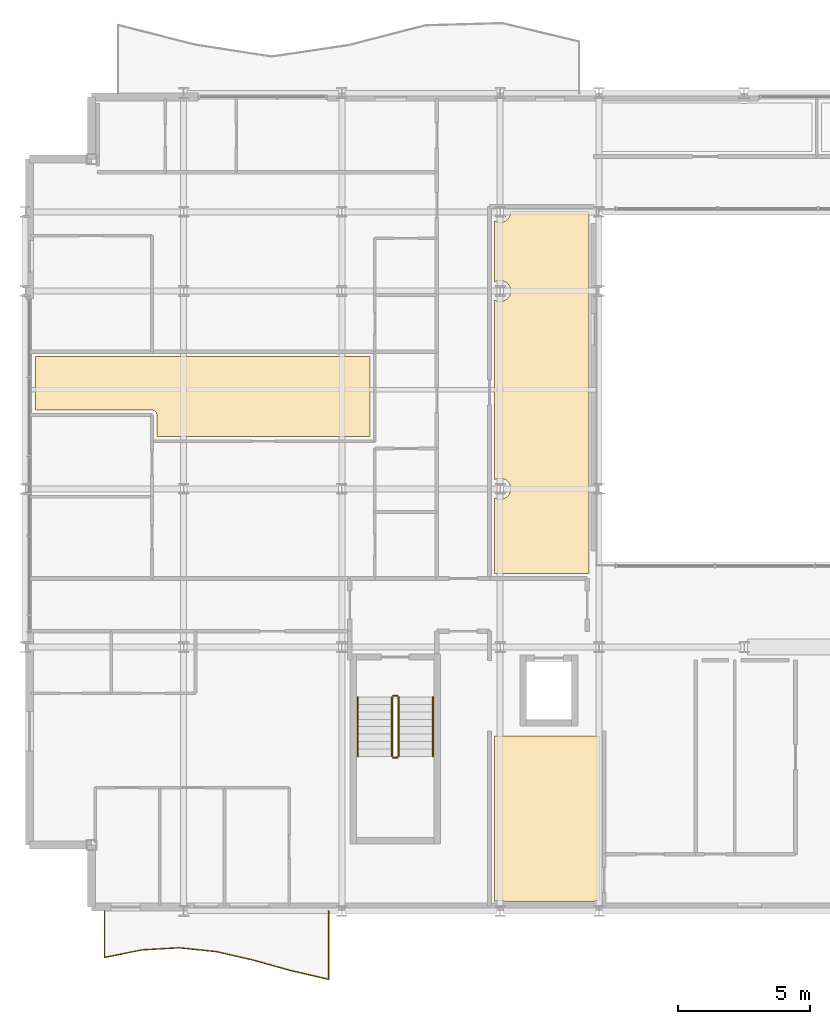
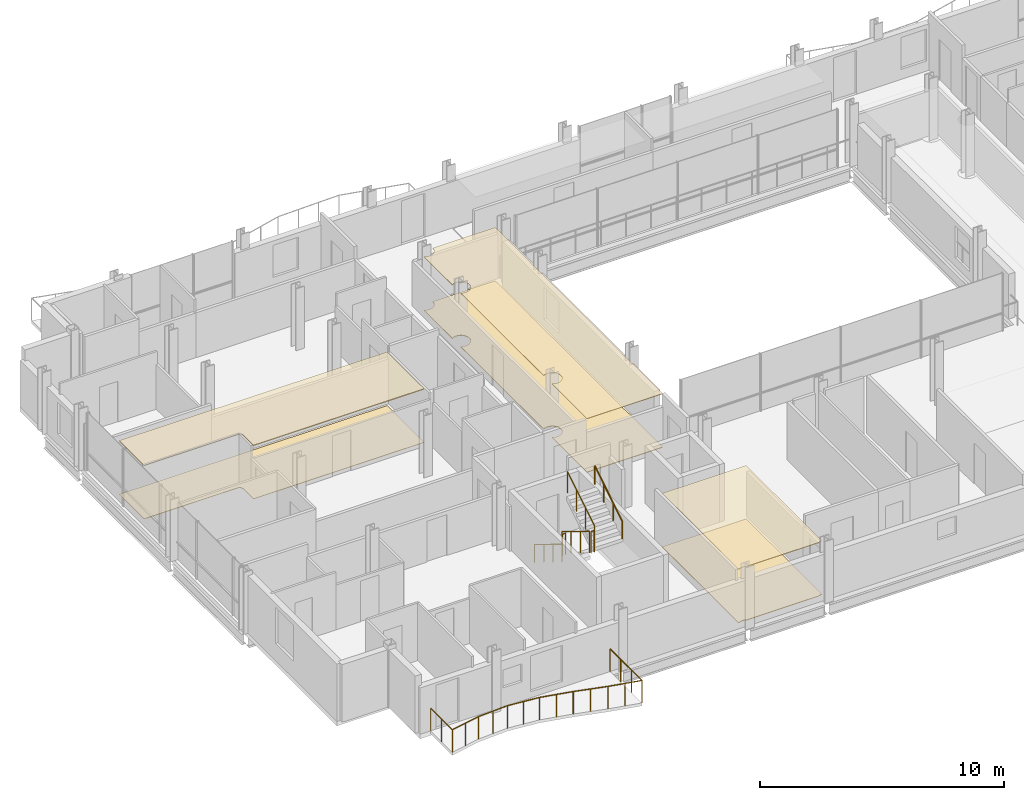
# One storey, part 39 of 41: 7 railings, 6 coverings.
"""IFC4 building model written with IfcOpenShell, lengths in metres."""

from ifc_helpers import new_model, si_unit, direction, frame, origin, origin_2d, place, context, subcontext, project, spatial, polyline, circle, outline, extrude, material, layer, layer_set, type_object, element, save


model = new_model("IFC4")

# Units and contexts
model_context = context("Model", 3, precision=1e-05, world=origin(), true_north=direction((0.0, 1.0)))
body_context = subcontext(model_context, "Body", "Model", "MODEL_VIEW")
ifc_project = project(units=[si_unit("LENGTHUNIT", "METRE"), si_unit("AREAUNIT", "SQUARE_METRE"), si_unit("VOLUMEUNIT", "CUBIC_METRE"), si_unit("PLANEANGLEUNIT", "RADIAN"), si_unit("MASSUNIT", "GRAM", prefix="KILO")], contexts=[model_context])

# Site, building, storey
site_placement = place(None, origin())
site = spatial("IfcSite", under=ifc_project, at=site_placement, CompositionType="ELEMENT")
building_placement = place(site_placement, origin())
building = spatial("IfcBuilding", under=site, at=building_placement, Name="Brevholm Reach", CompositionType="ELEMENT")
storey_placement = place(building_placement, frame((0.0, 0.0, 157.300048828125)))
storey = spatial("IfcBuildingStorey", under=building, at=storey_placement, Name="L47", CompositionType="ELEMENT", Elevation=157.300048828125)

# Coverings
ifc_material_1 = material(Name="Perforated Mineral-Fibre Class-A Acoustic Suspended Ceiling", Category="gypsum")
ifc_layer_1 = layer(ifc_material_1, 0.044921875)
ifc_layer_set_1 = layer_set([ifc_layer_1], Name="Perforated Mineral-Fibre Class-A Acoustic Suspended Ceiling")
covering_type_1 = type_object("IfcCoveringType", Name="COV-CLG-AC", PredefinedType="CEILING", material=ifc_layer_set_1)
covering_1_placement = place(storey_placement, frame((0.0, 0.0, 2.6650390625)))
element("IfcCovering", 1, at=covering_1_placement, inside=storey, type_object=covering_type_1, Name="L47 Suspended Ceiling L47-45", PredefinedType="CEILING", context=body_context, shape_type="SweptSolid", body=[
    extrude(outline(polyline([(0.3798828125, 21.02001953125), (13.070068359375, 21.02001953125), (13.070068359375, 17.97998046875), (4.98388671875, 17.97998046875), (4.98388671875, 18.800048828125), (4.983154296875, 18.817626953125), (4.98046875, 18.835205078125), (4.976318359375, 18.852294921875), (4.97021484375, 18.868896484375), (4.962890625, 18.884765625), (4.95361328125, 18.89990234375), (4.943115234375, 18.914306640625), (4.93994140625, 18.918212890625), (4.927978515625, 18.93115234375), (4.9150390625, 18.943115234375), (4.90087890625, 18.95361328125), (4.8857421875, 18.962646484375), (4.86962890625, 18.97021484375), (4.85302734375, 18.97607421875), (4.8359375, 18.98046875), (4.818359375, 18.98291015625), (4.80078125, 18.98388671875), (0.3798828125, 18.98388671875), (0.3798828125, 21.02001953125)])), origin(), (0.0, 0.0, 1.0), 0.044921875),
])
ifc_material_2 = material(Name="Moisture-Resistant Skimmed Gypsum Plasterboard Ceiling", Category="gypsum")
ifc_layer_2 = layer(ifc_material_2, 0.030029296875)
ifc_layer_set_2 = layer_set([ifc_layer_2], Name="Moisture-Resistant Skimmed Gypsum Plasterboard Ceiling")
covering_type_2 = type_object("IfcCoveringType", Name="COV-CLG-GYP", PredefinedType="CEILING", material=ifc_layer_set_2)
covering_2_placement = place(storey_placement, frame((0.0, 0.0, 2.679931640625)))
element("IfcCovering", 2, at=covering_2_placement, inside=storey, type_object=covering_type_2, Name="L47 Suspended Ceiling L47-24", PredefinedType="CEILING", context=body_context, shape_type="SweptSolid", body=[
    extrude(outline(polyline([(21.76611328125, 6.6201171875), (21.76611328125, 0.399169921875), (21.75, 0.39990234375), (21.710693359375, 0.398193359375), (21.672119140625, 0.392333984375), (21.6337890625, 0.3828125), (21.596923828125, 0.36962890625), (21.57666015625, 0.360107421875), (18.17333984375, 0.360107421875), (18.153076171875, 0.36962890625), (18.1162109375, 0.3828125), (18.077880859375, 0.392333984375), (18.039306640625, 0.398193359375), (18.0, 0.39990234375), (17.960693359375, 0.398193359375), (17.922119140625, 0.392333984375), (17.8837890625, 0.3828125), (17.846923828125, 0.36962890625), (17.82666015625, 0.360107421875), (17.783935546875, 0.360107421875), (17.783935546875, 6.6201171875), (21.76611328125, 6.6201171875)])), origin(), (0.0, 0.0, 1.0), 0.030029296875),
])
covering_3_placement = place(storey_placement, frame((0.0, 0.0, 2.679931640625)))
element("IfcCovering", 3, at=covering_3_placement, inside=storey, type_object=covering_type_2, Name="L47 Suspended Ceiling L47-61", PredefinedType="CEILING", context=body_context, shape_type="SweptSolid", body=[
    extrude(outline(polyline([(21.3701171875, 23.623779296875), (21.3671875, 23.6162109375), (21.357666015625, 23.577880859375), (21.351806640625, 23.539306640625), (21.35009765625, 23.5), (21.351806640625, 23.460693359375), (21.357666015625, 23.422119140625), (21.3671875, 23.3837890625), (21.3701171875, 23.376220703125), (21.3701171875, 16.123779296875), (21.3671875, 16.1162109375), (21.357666015625, 16.077880859375), (21.351806640625, 16.039306640625), (21.35009765625, 16.0), (21.351806640625, 15.960693359375), (21.357666015625, 15.922119140625), (21.3671875, 15.8837890625), (21.3701171875, 15.876220703125), (21.3701171875, 12.783935546875), (17.783935546875, 12.783935546875), (17.783935546875, 15.663818359375), (17.811279296875, 15.647216796875), (17.846923828125, 15.63037109375), (17.8837890625, 15.6171875), (17.922119140625, 15.607666015625), (17.960693359375, 15.601806640625), (18.0, 15.60009765625), (18.039306640625, 15.601806640625), (18.077880859375, 15.607666015625), (18.1162109375, 15.6171875), (18.153076171875, 15.63037109375), (18.188720703125, 15.647216796875), (18.22216796875, 15.66748046875), (18.25390625, 15.69091796875), (18.28271484375, 15.71728515625), (18.30908203125, 15.74609375), (18.33251953125, 15.77783203125), (18.352783203125, 15.811279296875), (18.36962890625, 15.846923828125), (18.3828125, 15.8837890625), (18.392333984375, 15.922119140625), (18.398193359375, 15.960693359375), (18.39990234375, 16.0), (18.398193359375, 16.039306640625), (18.392333984375, 16.077880859375), (18.3828125, 16.1162109375), (18.36962890625, 16.153076171875), (18.352783203125, 16.188720703125), (18.33251953125, 16.22216796875), (18.30908203125, 16.25390625), (18.28271484375, 16.28271484375), (18.25390625, 16.30908203125), (18.22216796875, 16.33251953125), (18.188720703125, 16.352783203125), (18.153076171875, 16.36962890625), (18.1162109375, 16.3828125), (18.077880859375, 16.392333984375), (18.039306640625, 16.398193359375), (18.0, 16.39990234375), (17.960693359375, 16.398193359375), (17.922119140625, 16.392333984375), (17.8837890625, 16.3828125), (17.846923828125, 16.36962890625), (17.811279296875, 16.352783203125), (17.783935546875, 16.336181640625), (17.783935546875, 23.163818359375), (17.811279296875, 23.147216796875), (17.846923828125, 23.13037109375), (17.8837890625, 23.1171875), (17.922119140625, 23.107666015625), (17.960693359375, 23.101806640625), (18.0, 23.10009765625), (18.039306640625, 23.101806640625), (18.077880859375, 23.107666015625), (18.1162109375, 23.1171875), (18.153076171875, 23.13037109375), (18.188720703125, 23.147216796875), (18.22216796875, 23.16748046875), (18.25390625, 23.19091796875), (18.28271484375, 23.21728515625), (18.30908203125, 23.24609375), (18.33251953125, 23.27783203125), (18.352783203125, 23.311279296875), (18.36962890625, 23.346923828125), (18.3828125, 23.3837890625), (18.392333984375, 23.422119140625), (18.398193359375, 23.460693359375), (18.39990234375, 23.5), (18.398193359375, 23.539306640625), (18.392333984375, 23.577880859375), (18.3828125, 23.6162109375), (18.36962890625, 23.653076171875), (18.352783203125, 23.688720703125), (18.33251953125, 23.72216796875), (18.30908203125, 23.75390625), (18.28271484375, 23.78271484375), (18.25390625, 23.80908203125), (18.22216796875, 23.83251953125), (18.188720703125, 23.852783203125), (18.153076171875, 23.86962890625), (18.1162109375, 23.8828125), (18.077880859375, 23.892333984375), (18.039306640625, 23.898193359375), (18.0, 23.89990234375), (17.960693359375, 23.898193359375), (17.922119140625, 23.892333984375), (17.8837890625, 23.8828125), (17.846923828125, 23.86962890625), (17.811279296875, 23.852783203125), (17.783935546875, 23.836181640625), (17.783935546875, 26.163818359375), (17.811279296875, 26.147216796875), (17.846923828125, 26.13037109375), (17.8837890625, 26.1171875), (17.922119140625, 26.107666015625), (17.960693359375, 26.101806640625), (18.0, 26.10009765625), (18.039306640625, 26.101806640625), (18.077880859375, 26.107666015625), (18.1162109375, 26.1171875), (18.153076171875, 26.13037109375), (18.188720703125, 26.147216796875), (18.22216796875, 26.16748046875), (18.25390625, 26.19091796875), (18.28271484375, 26.21728515625), (18.30908203125, 26.24609375), (18.33251953125, 26.27783203125), (18.352783203125, 26.311279296875), (18.36962890625, 26.346923828125), (18.3828125, 26.3837890625), (18.392333984375, 26.422119140625), (18.398193359375, 26.460693359375), (18.39990234375, 26.5), (18.399169921875, 26.51611328125), (21.350830078125, 26.51611328125), (21.35009765625, 26.5), (21.351806640625, 26.460693359375), (21.357666015625, 26.422119140625), (21.3671875, 26.3837890625), (21.3701171875, 26.376220703125), (21.3701171875, 23.623779296875)])), origin(), (0.0, 0.0, 1.0), 0.030029296875),
])
ifc_material_3 = material(Name="Engineered European Oak Acoustic Plank Flooring", Category="timber")
ifc_layer_3 = layer(ifc_material_3, 0.02197265625)
ifc_layer_set_3 = layer_set([ifc_layer_3], Name="Engineered European Oak Acoustic Plank Flooring")
covering_type_3 = type_object("IfcCoveringType", Name="COV-FLR-OAK", PredefinedType="FLOORING", material=ifc_layer_set_3)
covering_4_placement = place(storey_placement, origin())
element("IfcCovering", 4, at=covering_4_placement, inside=storey, type_object=covering_type_3, Name="L47 Floor Finish L47-45", PredefinedType="FLOORING", context=body_context, shape_type="SweptSolid", body=[
    extrude(outline(polyline([(0.3798828125, 21.02001953125), (13.070068359375, 21.02001953125), (13.070068359375, 17.97998046875), (4.98388671875, 17.97998046875), (4.98388671875, 18.800048828125), (4.983154296875, 18.817626953125), (4.98046875, 18.835205078125), (4.976318359375, 18.852294921875), (4.97021484375, 18.868896484375), (4.962890625, 18.884765625), (4.95361328125, 18.89990234375), (4.943115234375, 18.914306640625), (4.93994140625, 18.918212890625), (4.927978515625, 18.93115234375), (4.9150390625, 18.943115234375), (4.90087890625, 18.95361328125), (4.8857421875, 18.962646484375), (4.86962890625, 18.97021484375), (4.85302734375, 18.97607421875), (4.8359375, 18.98046875), (4.818359375, 18.98291015625), (4.80078125, 18.98388671875), (0.3798828125, 18.98388671875), (0.3798828125, 21.02001953125)])), origin(), (0.0, 0.0, 1.0), 0.02197265625),
])
ifc_material_4 = material(Name="Honed Portland-Aggregate Resin Terrazzo Flooring", Category="concrete")
ifc_layer_4 = layer(ifc_material_4, 0.031982421875)
ifc_layer_set_4 = layer_set([ifc_layer_4], Name="Honed Portland-Aggregate Resin Terrazzo Flooring")
covering_type_4 = type_object("IfcCoveringType", Name="COV-FLR-TRZ", PredefinedType="FLOORING", material=ifc_layer_set_4)
covering_5_placement = place(storey_placement, origin())
element("IfcCovering", 5, at=covering_5_placement, inside=storey, type_object=covering_type_4, Name="L47 Floor Finish L47-24", PredefinedType="FLOORING", context=body_context, shape_type="SweptSolid", body=[
    extrude(outline(polyline([(21.76611328125, 6.6201171875), (21.76611328125, 0.399169921875), (21.75, 0.39990234375), (21.710693359375, 0.398193359375), (21.672119140625, 0.392333984375), (21.6337890625, 0.3828125), (21.596923828125, 0.36962890625), (21.57666015625, 0.360107421875), (18.17333984375, 0.360107421875), (18.153076171875, 0.36962890625), (18.1162109375, 0.3828125), (18.077880859375, 0.392333984375), (18.039306640625, 0.398193359375), (18.0, 0.39990234375), (17.960693359375, 0.398193359375), (17.922119140625, 0.392333984375), (17.8837890625, 0.3828125), (17.846923828125, 0.36962890625), (17.82666015625, 0.360107421875), (17.783935546875, 0.360107421875), (17.783935546875, 6.6201171875), (21.76611328125, 6.6201171875)])), origin(), (0.0, 0.0, 1.0), 0.031982421875),
])
covering_6_placement = place(storey_placement, origin())
element("IfcCovering", 6, at=covering_6_placement, inside=storey, type_object=covering_type_4, Name="L47 Floor Finish L47-61", PredefinedType="FLOORING", context=body_context, shape_type="SweptSolid", body=[
    extrude(outline(polyline([(21.3701171875, 23.623779296875), (21.3671875, 23.6162109375), (21.357666015625, 23.577880859375), (21.351806640625, 23.539306640625), (21.35009765625, 23.5), (21.351806640625, 23.460693359375), (21.357666015625, 23.422119140625), (21.3671875, 23.3837890625), (21.3701171875, 23.376220703125), (21.3701171875, 16.123779296875), (21.3671875, 16.1162109375), (21.357666015625, 16.077880859375), (21.351806640625, 16.039306640625), (21.35009765625, 16.0), (21.351806640625, 15.960693359375), (21.357666015625, 15.922119140625), (21.3671875, 15.8837890625), (21.3701171875, 15.876220703125), (21.3701171875, 12.783935546875), (17.783935546875, 12.783935546875), (17.783935546875, 15.663818359375), (17.811279296875, 15.647216796875), (17.846923828125, 15.63037109375), (17.8837890625, 15.6171875), (17.922119140625, 15.607666015625), (17.960693359375, 15.601806640625), (18.0, 15.60009765625), (18.039306640625, 15.601806640625), (18.077880859375, 15.607666015625), (18.1162109375, 15.6171875), (18.153076171875, 15.63037109375), (18.188720703125, 15.647216796875), (18.22216796875, 15.66748046875), (18.25390625, 15.69091796875), (18.28271484375, 15.71728515625), (18.30908203125, 15.74609375), (18.33251953125, 15.77783203125), (18.352783203125, 15.811279296875), (18.36962890625, 15.846923828125), (18.3828125, 15.8837890625), (18.392333984375, 15.922119140625), (18.398193359375, 15.960693359375), (18.39990234375, 16.0), (18.398193359375, 16.039306640625), (18.392333984375, 16.077880859375), (18.3828125, 16.1162109375), (18.36962890625, 16.153076171875), (18.352783203125, 16.188720703125), (18.33251953125, 16.22216796875), (18.30908203125, 16.25390625), (18.28271484375, 16.28271484375), (18.25390625, 16.30908203125), (18.22216796875, 16.33251953125), (18.188720703125, 16.352783203125), (18.153076171875, 16.36962890625), (18.1162109375, 16.3828125), (18.077880859375, 16.392333984375), (18.039306640625, 16.398193359375), (18.0, 16.39990234375), (17.960693359375, 16.398193359375), (17.922119140625, 16.392333984375), (17.8837890625, 16.3828125), (17.846923828125, 16.36962890625), (17.811279296875, 16.352783203125), (17.783935546875, 16.336181640625), (17.783935546875, 23.163818359375), (17.811279296875, 23.147216796875), (17.846923828125, 23.13037109375), (17.8837890625, 23.1171875), (17.922119140625, 23.107666015625), (17.960693359375, 23.101806640625), (18.0, 23.10009765625), (18.039306640625, 23.101806640625), (18.077880859375, 23.107666015625), (18.1162109375, 23.1171875), (18.153076171875, 23.13037109375), (18.188720703125, 23.147216796875), (18.22216796875, 23.16748046875), (18.25390625, 23.19091796875), (18.28271484375, 23.21728515625), (18.30908203125, 23.24609375), (18.33251953125, 23.27783203125), (18.352783203125, 23.311279296875), (18.36962890625, 23.346923828125), (18.3828125, 23.3837890625), (18.392333984375, 23.422119140625), (18.398193359375, 23.460693359375), (18.39990234375, 23.5), (18.398193359375, 23.539306640625), (18.392333984375, 23.577880859375), (18.3828125, 23.6162109375), (18.36962890625, 23.653076171875), (18.352783203125, 23.688720703125), (18.33251953125, 23.72216796875), (18.30908203125, 23.75390625), (18.28271484375, 23.78271484375), (18.25390625, 23.80908203125), (18.22216796875, 23.83251953125), (18.188720703125, 23.852783203125), (18.153076171875, 23.86962890625), (18.1162109375, 23.8828125), (18.077880859375, 23.892333984375), (18.039306640625, 23.898193359375), (18.0, 23.89990234375), (17.960693359375, 23.898193359375), (17.922119140625, 23.892333984375), (17.8837890625, 23.8828125), (17.846923828125, 23.86962890625), (17.811279296875, 23.852783203125), (17.783935546875, 23.836181640625), (17.783935546875, 26.163818359375), (17.811279296875, 26.147216796875), (17.846923828125, 26.13037109375), (17.8837890625, 26.1171875), (17.922119140625, 26.107666015625), (17.960693359375, 26.101806640625), (18.0, 26.10009765625), (18.039306640625, 26.101806640625), (18.077880859375, 26.107666015625), (18.1162109375, 26.1171875), (18.153076171875, 26.13037109375), (18.188720703125, 26.147216796875), (18.22216796875, 26.16748046875), (18.25390625, 26.19091796875), (18.28271484375, 26.21728515625), (18.30908203125, 26.24609375), (18.33251953125, 26.27783203125), (18.352783203125, 26.311279296875), (18.36962890625, 26.346923828125), (18.3828125, 26.3837890625), (18.392333984375, 26.422119140625), (18.398193359375, 26.460693359375), (18.39990234375, 26.5), (18.399169921875, 26.51611328125), (21.350830078125, 26.51611328125), (21.35009765625, 26.5), (21.351806640625, 26.460693359375), (21.357666015625, 26.422119140625), (21.3671875, 26.3837890625), (21.3701171875, 26.376220703125), (21.3701171875, 23.623779296875)])), origin(), (0.0, 0.0, 1.0), 0.031982421875),
])

# Railings
ifc_material_5 = material(Name="Brushed Stainless Steel EN 1.4401 and Laminated Glass", Category="steel")
railing_type_1 = type_object("IfcRailingType", Name="RAL-BALC-1150", PredefinedType="BALUSTRADE", material=ifc_material_5)
railing_1_placement = place(storey_placement, frame((3.0, 0.0, 0.0)))
element("IfcRailing", 7, at=railing_1_placement, inside=storey, type_object=railing_type_1, Name="L47 Guard Balustrade RAL-L47-BAL-SW", PredefinedType="BALUSTRADE", context=body_context, shape_type="SweptSolid", body=[
    extrude(circle(Radius=0.02392578125, at=origin_2d()), frame((0.0, 0.0, 1.1259765625), z_axis=(0.0, -1.0, 0.0), x_axis=(1.0, 0.0, 0.0)), (0.0, 0.0, 1.0), 1.7685546875),
    extrude(circle(Radius=0.02392578125, at=origin_2d()), frame((0.0, -1.7685546875, 1.1259765625), z_axis=(0.980502614423, 0.196506038355, 0.0), x_axis=(-0.196506038355, 0.980502614423, 0.0)), (0.0, 0.0, 1.0), 1.44482421875),
    extrude(circle(Radius=0.02392578125, at=origin_2d()), frame((1.416748046875, -1.484619140625, 1.1259765625), z_axis=(0.998327360231, 0.057814200799, 0.0), x_axis=(-0.057814200799, 0.998327360231, 0.0)), (0.0, 0.0, 1.0), 1.4189453125),
    extrude(circle(Radius=0.02392578125, at=origin_2d()), frame((2.833251953125, -1.402587890625, 1.1259765625), z_axis=(0.994609205974, -0.103694394212, 0.0), x_axis=(0.103694394212, 0.994609205974, 0.0)), (0.0, 0.0, 1.0), 1.42431640625),
    extrude(circle(Radius=0.02392578125, at=origin_2d()), frame((4.25, -1.55029296875, 1.1259765625), z_axis=(0.974323236677, -0.225153792932, 0.0), x_axis=(0.225153792932, 0.974323236677, 0.0)), (0.0, 0.0, 1.0), 1.4541015625),
    extrude(circle(Radius=0.02392578125, at=origin_2d()), frame((5.666748046875, -1.877685546875, 1.1259765625), z_axis=(0.963289212232, -0.268465814578, 0.0), x_axis=(0.268465814578, 0.963289212232, 0.0)), (0.0, 0.0, 1.0), 1.470458984375),
    extrude(circle(Radius=0.02392578125, at=origin_2d()), frame((7.083251953125, -2.2724609375, 1.1259765625), z_axis=(0.974360057668, -0.224994395533, 0.0), x_axis=(0.224994395533, 0.974360057668, 0.0)), (0.0, 0.0, 1.0), 1.4541015625),
    extrude(circle(Radius=0.02392578125, at=origin_2d()), frame((8.5, -2.599609375, 1.1259765625), z_axis=(0.0, 1.0, 0.0), x_axis=(-1.0, 0.0, 0.0)), (0.0, 0.0, 1.0), 2.599609375),
    extrude(circle(Radius=0.02099609375, at=origin_2d()), origin(), (0.0, 0.0, 1.0), 1.101806640625),
    extrude(circle(Radius=0.02099609375, at=origin_2d()), frame((0.0, -0.88427734375, 0.0)), (0.0, 0.0, 1.0), 1.101806640625),
    extrude(circle(Radius=0.02099609375, at=origin_2d()), frame((0.0, -1.7685546875, 0.0)), (0.0, 0.0, 1.0), 1.101806640625),
    extrude(circle(Radius=0.02099609375, at=origin_2d()), frame((0.70849609375, -1.62646484375, 0.0)), (0.0, 0.0, 1.0), 1.101806640625),
    extrude(circle(Radius=0.02099609375, at=origin_2d()), frame((1.416748046875, -1.484619140625, 0.0)), (0.0, 0.0, 1.0), 1.101806640625),
    extrude(circle(Radius=0.02099609375, at=origin_2d()), frame((2.125, -1.443603515625, 0.0)), (0.0, 0.0, 1.0), 1.101806640625),
    extrude(circle(Radius=0.02099609375, at=origin_2d()), frame((2.833251953125, -1.402587890625, 0.0)), (0.0, 0.0, 1.0), 1.101806640625),
    extrude(circle(Radius=0.02099609375, at=origin_2d()), frame((3.54150390625, -1.4765625, 0.0)), (0.0, 0.0, 1.0), 1.101806640625),
    extrude(circle(Radius=0.02099609375, at=origin_2d()), frame((4.25, -1.55029296875, 0.0)), (0.0, 0.0, 1.0), 1.101806640625),
    extrude(circle(Radius=0.02099609375, at=origin_2d()), frame((4.95849609375, -1.7138671875, 0.0)), (0.0, 0.0, 1.0), 1.101806640625),
    extrude(circle(Radius=0.02099609375, at=origin_2d()), frame((5.666748046875, -1.877685546875, 0.0)), (0.0, 0.0, 1.0), 1.101806640625),
    extrude(circle(Radius=0.02099609375, at=origin_2d()), frame((6.375, -2.0751953125, 0.0)), (0.0, 0.0, 1.0), 1.101806640625),
    extrude(circle(Radius=0.02099609375, at=origin_2d()), frame((7.083251953125, -2.2724609375, 0.0)), (0.0, 0.0, 1.0), 1.101806640625),
    extrude(circle(Radius=0.02099609375, at=origin_2d()), frame((7.79150390625, -2.43603515625, 0.0)), (0.0, 0.0, 1.0), 1.101806640625),
    extrude(circle(Radius=0.02099609375, at=origin_2d()), frame((8.5, -2.599609375, 0.0)), (0.0, 0.0, 1.0), 1.101806640625),
    extrude(circle(Radius=0.02099609375, at=origin_2d()), frame((8.5, -1.733154296875, 0.0)), (0.0, 0.0, 1.0), 1.101806640625),
    extrude(circle(Radius=0.02099609375, at=origin_2d()), frame((8.5, -0.866455078125, 0.0)), (0.0, 0.0, 1.0), 1.101806640625),
    extrude(circle(Radius=0.02099609375, at=origin_2d()), frame((8.5, 0.0, 0.0)), (0.0, 0.0, 1.0), 1.101806640625),
])
ifc_material_6 = material(Name="Brushed Stainless Steel EN 1.4401 Continuous Handrail", Category="steel")
railing_type_2 = type_object("IfcRailingType", Name="RAL-HND-950", PredefinedType="HANDRAIL", material=ifc_material_6)
railing_2_placement = place(storey_placement, frame((12.60009765625, 8.10009765625, 0.172119140625)))
element("IfcRailing", 8, at=railing_2_placement, inside=storey, type_object=railing_type_2, Name="L47 ST-1 stair handrail 1", PredefinedType="HANDRAIL", context=body_context, shape_type="SweptSolid", body=[
    extrude(circle(Radius=0.02392578125, at=origin_2d()), frame((0.0, 0.0, 0.8857421875), z_axis=(0.0, -0.851747552033, 0.523952390591), x_axis=(1.0, 0.0, 0.0)), (0.0, 0.0, 1.0), 2.6298828125),
    extrude(circle(Radius=0.02099609375, at=origin_2d()), origin(), (0.0, 0.0, 1.0), 0.86181640625),
    extrude(circle(Radius=0.02099609375, at=origin_2d()), frame((0.0, -0.74658203125, 0.459228515625)), (0.0, 0.0, 1.0), 0.86181640625),
    extrude(circle(Radius=0.02099609375, at=origin_2d()), frame((0.0, -1.493408203125, 0.918701171875)), (0.0, 0.0, 1.0), 0.86181640625),
    extrude(circle(Radius=0.02099609375, at=origin_2d()), frame((0.0, -2.239990234375, 1.3779296875)), (0.0, 0.0, 1.0), 0.86181640625),
])
railing_3_placement = place(storey_placement, frame((15.449951171875, 5.860107421875, 1.72216796875)))
element("IfcRailing", 9, at=railing_3_placement, inside=storey, type_object=railing_type_2, Name="L47 ST-1 stair handrail 2", PredefinedType="HANDRAIL", context=body_context, shape_type="SweptSolid", body=[
    extrude(circle(Radius=0.02392578125, at=origin_2d()), frame((0.0, 0.0, 0.8857421875), z_axis=(0.0, 0.85178898068, 0.523885037382), x_axis=(-1.0, 0.0, 0.0)), (0.0, 0.0, 1.0), 2.629638671875),
    extrude(circle(Radius=0.02099609375, at=origin_2d()), origin(), (0.0, 0.0, 1.0), 0.86181640625),
    extrude(circle(Radius=0.02099609375, at=origin_2d()), frame((0.0, 0.74658203125, 0.459228515625)), (0.0, 0.0, 1.0), 0.86181640625),
    extrude(circle(Radius=0.02099609375, at=origin_2d()), frame((0.0, 1.493408203125, 0.91845703125)), (0.0, 0.0, 1.0), 0.86181640625),
    extrude(circle(Radius=0.02099609375, at=origin_2d()), frame((0.0, 2.239990234375, 1.377685546875)), (0.0, 0.0, 1.0), 0.86181640625),
])
ifc_material_7 = material(Name="Painted Tubular Galvanised Steel S275JR Stair Guard", Category="steel")
railing_type_3 = type_object("IfcRailingType", Name="RAL-STG-1120", PredefinedType="BALUSTRADE", material=ifc_material_7)
railing_4_placement = place(storey_placement, frame((13.89990234375, 8.10009765625, 0.172119140625)))
element("IfcRailing", 10, at=railing_4_placement, inside=storey, type_object=railing_type_3, Name="L47 ST-1 stair guard 1", PredefinedType="BALUSTRADE", context=body_context, shape_type="SweptSolid", body=[
    extrude(circle(Radius=0.02392578125, at=origin_2d()), frame((0.0, 0.0, 1.076171875), z_axis=(0.0, -0.851747552033, 0.523952390591), x_axis=(1.0, 0.0, 0.0)), (0.0, 0.0, 1.0), 2.6298828125),
    extrude(circle(Radius=0.02099609375, at=origin_2d()), origin(), (0.0, 0.0, 1.0), 1.052001953125),
    extrude(circle(Radius=0.02099609375, at=origin_2d()), frame((0.0, -0.74658203125, 0.459228515625)), (0.0, 0.0, 1.0), 1.052001953125),
    extrude(circle(Radius=0.02099609375, at=origin_2d()), frame((0.0, -1.493408203125, 0.918701171875)), (0.0, 0.0, 1.0), 1.052001953125),
    extrude(circle(Radius=0.02099609375, at=origin_2d()), frame((0.0, -2.239990234375, 1.3779296875)), (0.0, 0.0, 1.0), 1.052001953125),
])
railing_5_placement = place(storey_placement, frame((13.949951171875, 5.81005859375, 1.550048828125)))
element("IfcRailing", 11, at=railing_5_placement, inside=storey, type_object=railing_type_3, Name="L47 ST-1 stair guard 2", PredefinedType="BALUSTRADE", context=body_context, shape_type="SweptSolid", body=[
    extrude(circle(Radius=0.02392578125, at=origin_2d()), frame((0.0, 0.0, 1.076171875), z_axis=(1.0, 0.0, 0.0), x_axis=(0.0, 1.0, 0.0)), (0.0, 0.0, 1.0), 0.150146484375),
    extrude(circle(Radius=0.02099609375, at=origin_2d()), origin(), (0.0, 0.0, 1.0), 1.052001953125),
    extrude(circle(Radius=0.02099609375, at=origin_2d()), frame((0.150146484375, 0.0, 0.0)), (0.0, 0.0, 1.0), 1.052001953125),
])
railing_6_placement = place(storey_placement, frame((14.14990234375, 5.860107421875, 1.72216796875)))
element("IfcRailing", 12, at=railing_6_placement, inside=storey, type_object=railing_type_3, Name="L47 ST-1 stair guard 3", PredefinedType="BALUSTRADE", context=body_context, shape_type="SweptSolid", body=[
    extrude(circle(Radius=0.02392578125, at=origin_2d()), frame((0.0, 0.0, 1.076171875), z_axis=(0.0, 0.85178898068, 0.523885037382), x_axis=(-1.0, 0.0, 0.0)), (0.0, 0.0, 1.0), 2.629638671875),
    extrude(circle(Radius=0.02099609375, at=origin_2d()), origin(), (0.0, 0.0, 1.0), 1.052001953125),
    extrude(circle(Radius=0.02099609375, at=origin_2d()), frame((0.0, 0.74658203125, 0.459228515625)), (0.0, 0.0, 1.0), 1.052001953125),
    extrude(circle(Radius=0.02099609375, at=origin_2d()), frame((0.0, 1.493408203125, 0.91845703125)), (0.0, 0.0, 1.0), 1.052001953125),
    extrude(circle(Radius=0.02099609375, at=origin_2d()), frame((0.0, 2.239990234375, 1.377685546875)), (0.0, 0.0, 1.0), 1.052001953125),
])
railing_7_placement = place(storey_placement, frame((13.949951171875, 8.14990234375, 0.0)))
element("IfcRailing", 13, at=railing_7_placement, inside=storey, type_object=railing_type_3, Name="L47 ST-1 stair guard 4", PredefinedType="BALUSTRADE", context=body_context, shape_type="SweptSolid", body=[
    extrude(circle(Radius=0.02392578125, at=origin_2d()), frame((0.0, 0.0, 1.076171875), z_axis=(1.0, 0.0, 0.0), x_axis=(0.0, 1.0, 0.0)), (0.0, 0.0, 1.0), 0.150146484375),
    extrude(circle(Radius=0.02099609375, at=origin_2d()), origin(), (0.0, 0.0, 1.0), 1.052001953125),
    extrude(circle(Radius=0.02099609375, at=origin_2d()), frame((0.150146484375, 0.0, 0.0)), (0.0, 0.0, 1.0), 1.052001953125),
])

save(model, "model.ifc")
